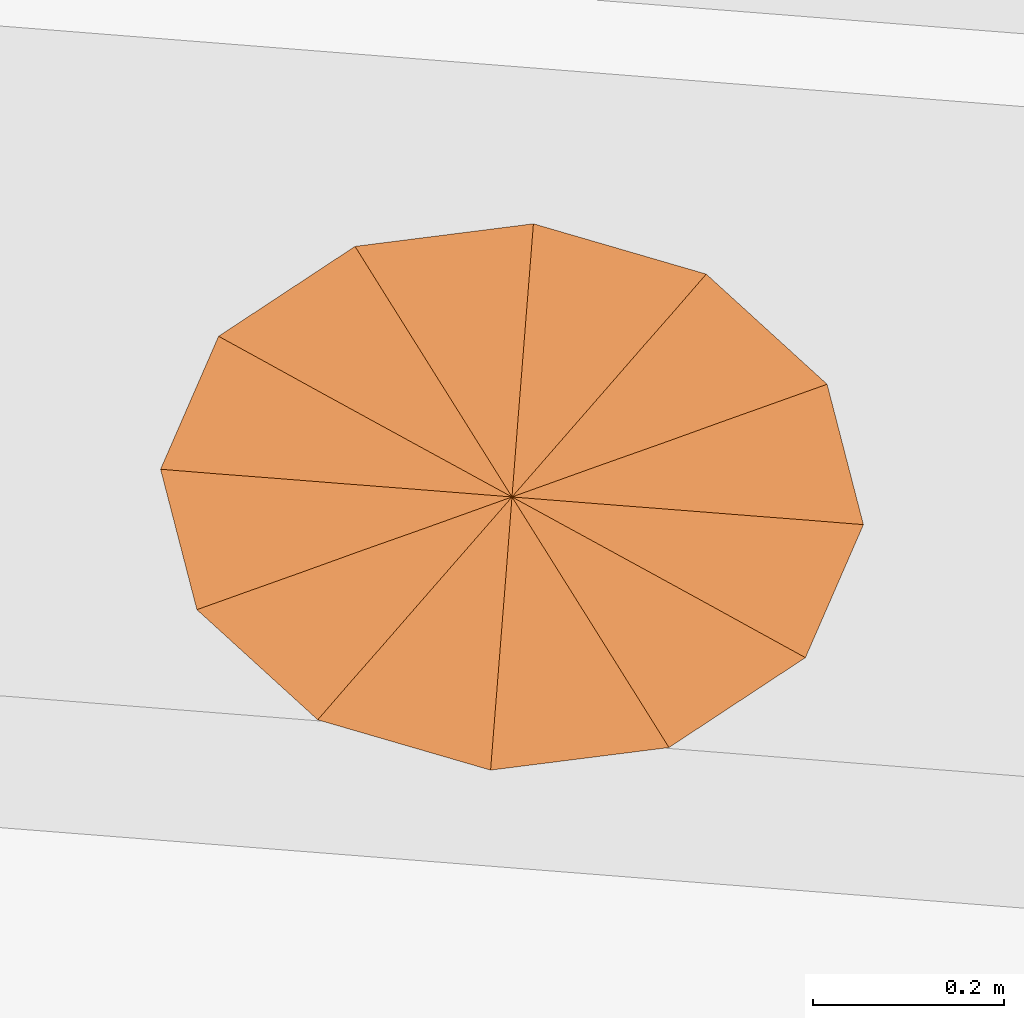
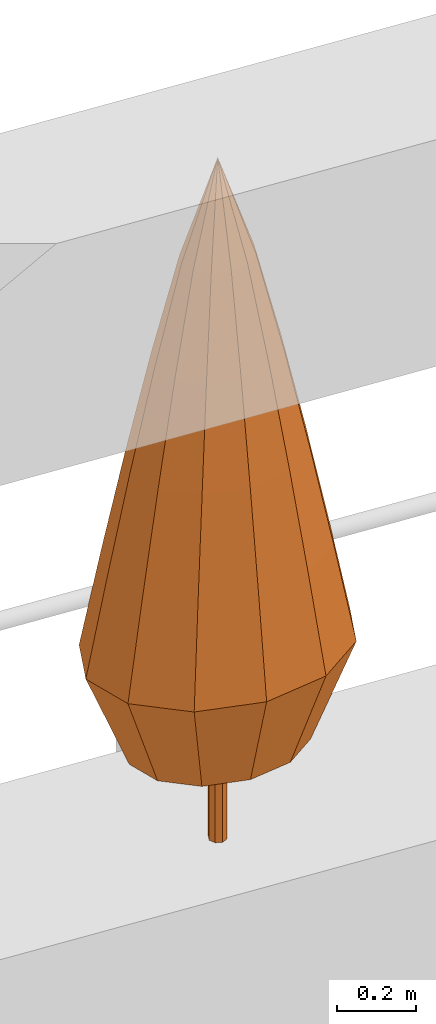
# One storey, part 12 of 12: 1 geographic element.
"""IFC4 building model written with IfcOpenShell, lengths in metres."""

from ifc_helpers import new_model, si_unit, direction, frame, origin, place, context, subcontext, project, spatial, faceted_brep, material, constituent, constituent_set, type_object, element, save


model = new_model("IFC4")

# Units and contexts
model_context = context("Model", 3, precision=1e-05, world=origin(), true_north=direction((0.0, 1.0)))
body_context = subcontext(model_context, "Body", "Model", "MODEL_VIEW")
ifc_project = project(units=[si_unit("LENGTHUNIT", "METRE"), si_unit("AREAUNIT", "SQUARE_METRE"), si_unit("VOLUMEUNIT", "CUBIC_METRE"), si_unit("PLANEANGLEUNIT", "RADIAN"), si_unit("MASSUNIT", "GRAM", prefix="KILO")], contexts=[model_context])

# Site, building, storey
site_placement = place(None, origin())
site = spatial("IfcSite", under=ifc_project, at=site_placement, CompositionType="ELEMENT")
building_placement = place(site_placement, origin())
building = spatial("IfcBuilding", under=site, at=building_placement, Name="Taillehof Tower", CompositionType="ELEMENT")
storey_placement = place(building_placement, frame((0.0, 0.0, 218.89990234375)))
storey = spatial("IfcBuildingStorey", under=building, at=storey_placement, Name="L62", CompositionType="ELEMENT", Elevation=218.89990234375)

# Geographic element
ifc_material_1 = material(Name="Tree bark", Category="timber")
ifc_constituent_1 = constituent(ifc_material_1, Name="Trunk", Category="timber")
ifc_material_2 = material(Name="Tree foliage")
ifc_constituent_2 = constituent(ifc_material_2, Name="Crown")
ifc_constituent_set = constituent_set(constituents=[ifc_constituent_1, ifc_constituent_2], Name="Tree TR5 Columnar juniper")
geographic_element_type = type_object("IfcGeographicElementType", Name="Tree TR5 Columnar juniper", PredefinedType="USERDEFINED", material=ifc_constituent_set)
geographic_element_placement = place(storey_placement, frame((2.955322265625, 24.110595703125, 0.75)))
element("IfcGeographicElement", 1, at=geographic_element_placement, inside=storey, type_object=geographic_element_type, Name="Tree TR5 Columnar juniper", ObjectType="TREE", PredefinedType="USERDEFINED", context=body_context, shape_type="Brep", body=[
    faceted_brep([(0.02490234375, 0.0, 0.0), (0.017578125, 0.017578125, 0.0), (0.017578125, 0.017578125, 0.929931640625), (0.02490234375, 0.0, 0.929931640625), (0.0, 0.02490234375, 0.0), (0.0, 0.02490234375, 0.929931640625), (-0.017578125, 0.017578125, 0.0), (-0.017578125, 0.017578125, 0.929931640625), (-0.02490234375, 0.0, 0.0), (-0.02490234375, 0.0, 0.929931640625), (-0.017578125, -0.017578125, 0.0), (-0.017578125, -0.017578125, 0.929931640625), (0.0, -0.02490234375, 0.0), (0.0, -0.02490234375, 0.929931640625), (0.017578125, -0.017578125, 0.0), (0.017578125, -0.017578125, 0.929931640625)], [[[0, 1, 2, 3]], [[1, 4, 5, 2]], [[4, 6, 7, 5]], [[6, 8, 9, 7]], [[8, 10, 11, 9]], [[10, 12, 13, 11]], [[12, 14, 15, 13]], [[14, 0, 3, 15]], [[14, 12, 10, 8, 6, 4, 1, 0]], [[3, 2, 5, 7, 9, 11, 13, 15]]]),
    faceted_brep([(-0.246826171875, 0.01953125, 0.300048828125), (-0.22119140625, -0.0791015625, 0.300048828125), (-0.330322265625, -0.1181640625, 0.60009765625), (-0.368408203125, 0.029052734375, 0.60009765625), (-0.136474609375, -0.156494140625, 0.300048828125), (-0.20361328125, -0.233642578125, 0.60009765625), (-0.01513671875, -0.19189453125, 0.300048828125), (-0.0224609375, -0.286376953125, 0.60009765625), (0.1103515625, -0.176025390625, 0.300048828125), (0.16455078125, -0.2626953125, 0.60009765625), (0.2060546875, -0.11279296875, 0.300048828125), (0.3076171875, -0.16845703125, 0.60009765625), (0.246826171875, -0.01953125, 0.300048828125), (0.368408203125, -0.029052734375, 0.60009765625), (0.22119140625, 0.0791015625, 0.300048828125), (0.330322265625, 0.1181640625, 0.60009765625), (0.136474609375, 0.156494140625, 0.300048828125), (0.20361328125, 0.233642578125, 0.60009765625), (0.01513671875, 0.19189453125, 0.300048828125), (0.0224609375, 0.286376953125, 0.60009765625), (-0.1103515625, 0.176025390625, 0.300048828125), (-0.16455078125, 0.2626953125, 0.60009765625), (-0.2060546875, 0.11279296875, 0.300048828125), (-0.3076171875, 0.16845703125, 0.60009765625), (-0.2763671875, -0.098876953125, 0.89990234375), (-0.30810546875, 0.024169921875, 0.89990234375), (-0.17041015625, -0.1953125, 0.89990234375), (-0.018798828125, -0.23974609375, 0.89990234375), (0.1376953125, -0.2197265625, 0.89990234375), (0.25732421875, -0.140869140625, 0.89990234375), (0.30810546875, -0.024169921875, 0.89990234375), (0.2763671875, 0.098876953125, 0.89990234375), (0.17041015625, 0.1953125, 0.89990234375), (0.018798828125, 0.23974609375, 0.89990234375), (-0.1376953125, 0.2197265625, 0.89990234375), (-0.25732421875, 0.140869140625, 0.89990234375), (-0.219482421875, -0.07861328125, 1.199951171875), (-0.244873046875, 0.019287109375, 1.199951171875), (-0.13525390625, -0.1552734375, 1.199951171875), (-0.014892578125, -0.1904296875, 1.199951171875), (0.109375, -0.174560546875, 1.199951171875), (0.20458984375, -0.11181640625, 1.199951171875), (0.244873046875, -0.019287109375, 1.199951171875), (0.219482421875, 0.07861328125, 1.199951171875), (0.13525390625, 0.1552734375, 1.199951171875), (0.014892578125, 0.1904296875, 1.199951171875), (-0.109375, 0.174560546875, 1.199951171875), (-0.20458984375, 0.11181640625, 1.199951171875), (-0.15869140625, -0.056640625, 1.5), (-0.177001953125, 0.013916015625, 1.5), (-0.097900390625, -0.1123046875, 1.5), (-0.0107421875, -0.1376953125, 1.5), (0.0791015625, -0.126220703125, 1.5), (0.14794921875, -0.080810546875, 1.5), (0.177001953125, -0.013916015625, 1.5), (0.15869140625, 0.056640625, 1.5), (0.097900390625, 0.1123046875, 1.5), (0.0107421875, 0.1376953125, 1.5), (-0.0791015625, 0.126220703125, 1.5), (-0.14794921875, 0.080810546875, 1.5), (-0.091064453125, -0.03271484375, 1.800048828125), (-0.1015625, 0.008056640625, 1.800048828125), (-0.05615234375, -0.064453125, 1.800048828125), (-0.006103515625, -0.0791015625, 1.800048828125), (0.04541015625, -0.072509765625, 1.800048828125), (0.0849609375, -0.04638671875, 1.800048828125), (0.1015625, -0.008056640625, 1.800048828125), (0.091064453125, 0.03271484375, 1.800048828125), (0.05615234375, 0.064453125, 1.800048828125), (0.006103515625, 0.0791015625, 1.800048828125), (-0.04541015625, 0.072509765625, 1.800048828125), (-0.0849609375, 0.04638671875, 1.800048828125), (0.0, 0.0, 2.10009765625)], [[[0, 1, 2, 3]], [[1, 4, 5, 2]], [[4, 6, 7, 5]], [[6, 8, 9, 7]], [[8, 10, 11, 9]], [[10, 12, 13, 11]], [[12, 14, 15, 13]], [[14, 16, 17, 15]], [[16, 18, 19, 17]], [[18, 20, 21, 19]], [[20, 22, 23, 21]], [[22, 0, 3, 23]], [[3, 2, 24, 25]], [[2, 5, 26, 24]], [[5, 7, 27, 26]], [[7, 9, 28, 27]], [[9, 11, 29, 28]], [[11, 13, 30, 29]], [[13, 15, 31, 30]], [[15, 17, 32, 31]], [[17, 19, 33, 32]], [[19, 21, 34, 33]], [[21, 23, 35, 34]], [[23, 3, 25, 35]], [[25, 24, 36, 37]], [[24, 26, 38, 36]], [[26, 27, 39, 38]], [[27, 28, 40, 39]], [[28, 29, 41, 40]], [[29, 30, 42, 41]], [[30, 31, 43, 42]], [[31, 32, 44, 43]], [[32, 33, 45, 44]], [[33, 34, 46, 45]], [[34, 35, 47, 46]], [[35, 25, 37, 47]], [[37, 36, 48, 49]], [[36, 38, 50, 48]], [[38, 39, 51, 50]], [[39, 40, 52, 51]], [[40, 41, 53, 52]], [[41, 42, 54, 53]], [[42, 43, 55, 54]], [[43, 44, 56, 55]], [[44, 45, 57, 56]], [[45, 46, 58, 57]], [[46, 47, 59, 58]], [[47, 37, 49, 59]], [[49, 48, 60, 61]], [[48, 50, 62, 60]], [[50, 51, 63, 62]], [[51, 52, 64, 63]], [[52, 53, 65, 64]], [[53, 54, 66, 65]], [[54, 55, 67, 66]], [[55, 56, 68, 67]], [[56, 57, 69, 68]], [[57, 58, 70, 69]], [[58, 59, 71, 70]], [[59, 49, 61, 71]], [[61, 60, 72]], [[60, 62, 72]], [[62, 63, 72]], [[63, 64, 72]], [[64, 65, 72]], [[65, 66, 72]], [[66, 67, 72]], [[67, 68, 72]], [[68, 69, 72]], [[69, 70, 72]], [[70, 71, 72]], [[71, 61, 72]], [[22, 20, 18, 16, 14, 12, 10, 8, 6, 4, 1, 0]]]),
])

save(model, "model.ifc")
